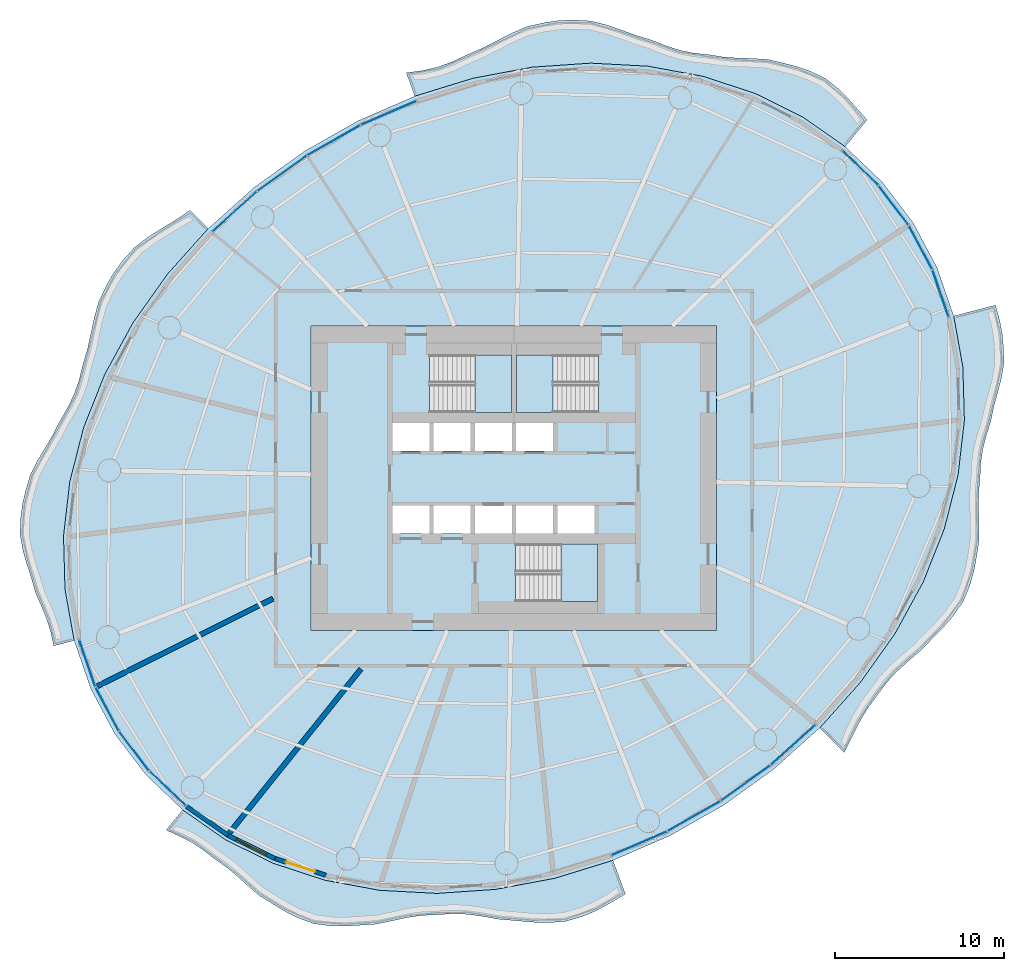
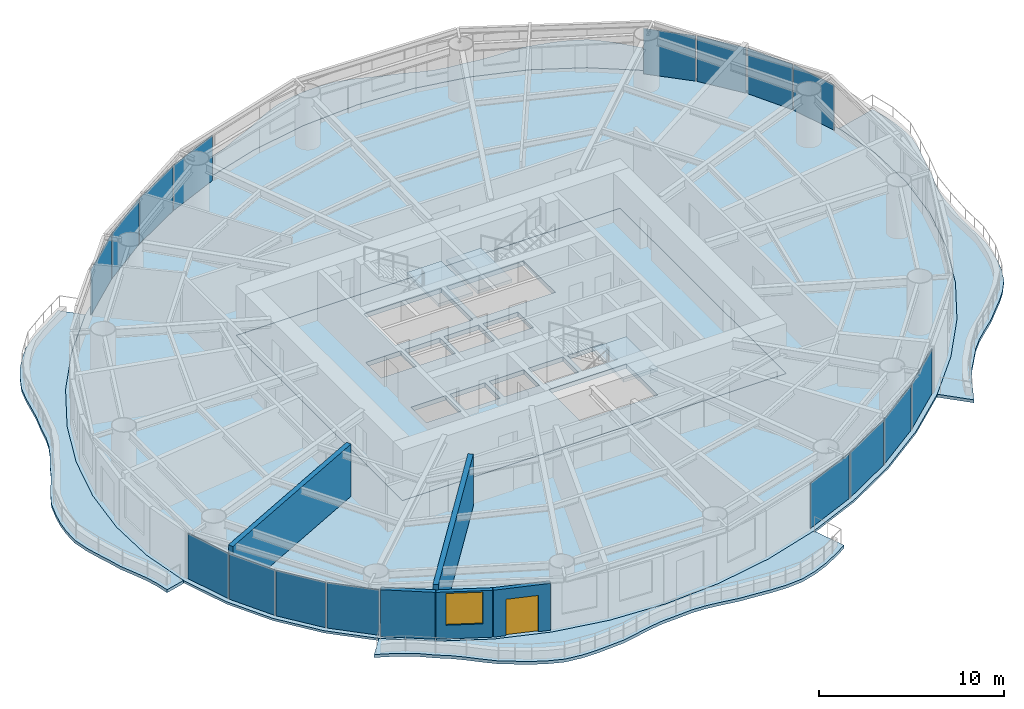
# One storey, part 7 of 14: 16 plates, 9 slabs, 5 walls, 1 door, 1 window, 2 openings, 19 elements without a shape of their own.
"""IFC4 building model written with IfcOpenShell, lengths in metres."""

from ifc_helpers import new_model, si_unit, direction, frame, frame_2d, origin, origin_2d, place, context, subcontext, project, spatial, polyline, rectangle, outline, extrude, material, layer, layer_set, type_object, element, fill, aggregate, save


model = new_model("IFC4")

# Units and contexts
model_context = context("Model", 3, precision=1e-05, world=origin(), true_north=direction((0.0, 1.0)))
body_context = subcontext(model_context, "Body", "Model", "MODEL_VIEW")
ifc_project = project(units=[si_unit("LENGTHUNIT", "METRE"), si_unit("AREAUNIT", "SQUARE_METRE"), si_unit("VOLUMEUNIT", "CUBIC_METRE"), si_unit("PLANEANGLEUNIT", "RADIAN"), si_unit("MASSUNIT", "GRAM", prefix="KILO")], contexts=[model_context])

# Site, building, storey
site_placement = place(None, origin())
site = spatial("IfcSite", under=ifc_project, at=site_placement, CompositionType="ELEMENT")
building_placement = place(site_placement, origin())
building = spatial("IfcBuilding", under=site, at=building_placement, Name="Vermilion Reach Broadcast Tower", CompositionType="ELEMENT")
storey_placement = place(building_placement, frame((0.0, 0.0, 165.0)))
storey = spatial("IfcBuildingStorey", under=building, at=storey_placement, Name="L39", CompositionType="ELEMENT", Elevation=165.0)

# Slabs
ifc_material_1 = material(Name="Concrete C40/50", Category="concrete")
ifc_layer_1 = layer(ifc_material_1, 0.199951171875)
ifc_layer_set_1 = layer_set([ifc_layer_1], Name="Balcony slab 200")
slab_type_1 = type_object("IfcSlabType", Name="Balcony slab 200", PredefinedType="FLOOR", material=ifc_layer_set_1)
placement_1 = place(storey_placement, frame((0.0, 0.0, -0.199951171875)))
element("IfcSlab", 1, at=placement_1, inside=storey, type_object=slab_type_1, Name="Balcony slab L39 group 1", PredefinedType="FLOOR", context=body_context, shape_type="SweptSolid", body=[
    extrude(outline(polyline([(13.61328125, 19.629638671875), (11.083740234375, 21.3916015625), (8.26171875, 22.787353515625), (5.19580078125, 23.79345703125), (1.9384765625, 24.392333984375), (-1.454833984375, 24.573974609375), (-4.926025390625, 24.3349609375), (-8.41552734375, 23.6796875), (-11.863525390625, 22.619140625), (-12.37451171875, 24.00537109375), (-11.387939453125, 24.140380859375), (-10.507080078125, 24.3447265625), (-9.65771484375, 24.651123046875), (-8.760498046875, 25.0771484375), (-7.8486328125, 25.47021484375), (-7.0244140625, 25.89111328125), (-6.201416015625, 26.31689453125), (-5.23291015625, 26.73486328125), (-4.235107421875, 26.964599609375), (-3.372314453125, 27.095703125), (-2.502685546875, 27.127685546875), (-1.47412109375, 27.0751953125), (-0.483642578125, 26.826416015625), (0.351806640625, 26.5380859375), (1.186279296875, 26.2353515625), (2.1220703125, 25.947265625), (3.002685546875, 25.601318359375), (3.79736328125, 25.345703125), (4.608154296875, 25.176025390625), (5.523193359375, 25.078369140625), (6.420166015625, 24.9375), (7.25048828125, 24.880615234375), (8.091552734375, 24.855712890625), (9.079833984375, 24.78759765625), (10.017578125, 24.561767578125), (10.7958984375, 24.360107421875), (11.544189453125, 24.097412109375), (12.43408203125, 23.676025390625), (13.193115234375, 23.071533203125), (13.749267578125, 22.521728515625), (14.2734375, 21.92578125), (14.906982421875, 21.211181640625), (13.61328125, 19.629638671875)])), origin(), (0.0, 0.0, 1.0), 0.199951171875),
])
element("IfcSlab", 2, at=placement_1, inside=storey, type_object=slab_type_1, Name="Balcony slab L39 group 2", PredefinedType="FLOOR", context=body_context, shape_type="SweptSolid", body=[
    extrude(outline(polyline([(-24.09423828125, 14.78515625), (-26.49951171875, 12.096435546875), (-28.553955078125, 9.200927734375), (-30.22265625, 6.147705078125), (-31.476806640625, 2.989501953125), (-32.294921875, -0.219970703125), (-32.663330078125, -3.425537109375), (-32.575439453125, -6.572509765625), (-32.03271484375, -9.607177734375), (-33.247314453125, -9.9228515625), (-33.42578125, -9.0732421875), (-33.66162109375, -8.33251953125), (-33.96044921875, -7.60302734375), (-34.326904296875, -6.752685546875), (-34.590087890625, -5.841552734375), (-34.8447265625, -5.061279296875), (-35.067138671875, -4.280029296875), (-35.239013671875, -3.314208984375), (-35.1982421875, -2.322265625), (-35.09423828125, -1.522216796875), (-34.90673828125, -0.731689453125), (-34.6298828125, 0.2099609375), (-34.167236328125, 1.112060546875), (-33.72021484375, 1.8525390625), (-33.2802734375, 2.5947265625), (-32.854736328125, 3.436767578125), (-32.375244140625, 4.260498046875), (-32.01171875, 5.030029296875), (-31.736328125, 5.834716796875), (-31.51220703125, 6.75341796875), (-31.235595703125, 7.692626953125), (-31.040771484375, 8.577392578125), (-30.8544921875, 9.466796875), (-30.57666015625, 10.465087890625), (-30.126220703125, 11.40478515625), (-29.68310546875, 12.178466796875), (-29.156005859375, 12.89306640625), (-28.46533203125, 13.664794921875), (-27.617919921875, 14.306884765625), (-26.82421875, 14.80712890625), (-26.01904296875, 15.296875), (-25.177978515625, 15.8671875), (-24.09423828125, 14.78515625)])), origin(), (0.0, 0.0, 1.0), 0.199951171875),
])
element("IfcSlab", 3, at=placement_1, inside=storey, type_object=slab_type_1, Name="Balcony slab L39 group 3", PredefinedType="FLOOR", context=body_context, shape_type="SweptSolid", body=[
    extrude(outline(polyline([(-25.61328125, -19.629638671875), (-23.083740234375, -21.3916015625), (-20.26171875, -22.787353515625), (-17.19580078125, -23.79345703125), (-13.9384765625, -24.392333984375), (-10.545166015625, -24.573974609375), (-7.073974609375, -24.3349609375), (-3.58447265625, -23.6796875), (-0.136474609375, -22.619140625), (0.599365234375, -24.614990234375), (-0.301513671875, -25.150146484375), (-1.110107421875, -25.589599609375), (-1.945556640625, -25.94091796875), (-2.953857421875, -26.234619140625), (-3.993408203125, -26.31103515625), (-4.90283203125, -26.278564453125), (-5.82177734375, -26.193603515625), (-6.8466796875, -26.112060546875), (-7.83544921875, -25.938720703125), (-8.7158203125, -25.815185546875), (-9.590576171875, -25.77490234375), (-10.535400390625, -25.83740234375), (-11.4658203125, -25.880126953125), (-12.3232421875, -26.007568359375), (-13.183837890625, -26.192626953125), (-14.17529296875, -26.396728515625), (-15.160888671875, -26.4619140625), (-16.01171875, -26.511474609375), (-16.850830078125, -26.49658203125), (-17.8515625, -26.366943359375), (-18.777587890625, -26.0263671875), (-19.5078125, -25.664306640625), (-20.217041015625, -25.238525390625), (-21.0537109375, -24.7236328125), (-21.786376953125, -24.094482421875), (-22.39111328125, -23.541748046875), (-23.012939453125, -23.023681640625), (-23.748779296875, -22.516845703125), (-24.43115234375, -21.977783203125), (-25.078369140625, -21.558349609375), (-25.7685546875, -21.201171875), (-26.593505859375, -20.827880859375), (-25.61328125, -19.629638671875)])), origin(), (0.0, 0.0, 1.0), 0.199951171875),
])
element("IfcSlab", 4, at=placement_1, inside=storey, type_object=slab_type_1, Name="Balcony slab L39 group 4", PredefinedType="FLOOR", context=body_context, shape_type="SweptSolid", body=[
    extrude(outline(polyline([(12.09423828125, -14.78515625), (14.49951171875, -12.096435546875), (16.553955078125, -9.200927734375), (18.22265625, -6.147705078125), (19.476806640625, -2.989501953125), (20.294921875, 0.219970703125), (20.663330078125, 3.425537109375), (20.575439453125, 6.572509765625), (20.03271484375, 9.607177734375), (22.505126953125, 10.24951171875), (22.761474609375, 9.312255859375), (22.907470703125, 8.555419921875), (22.97705078125, 7.784912109375), (23.00927734375, 6.82275390625), (22.839599609375, 5.848388671875), (22.63037109375, 5.05517578125), (22.4140625, 4.26171875), (22.221435546875, 3.358154296875), (21.942626953125, 2.466552734375), (21.745849609375, 1.67724609375), (21.63134765625, 0.87841796875), (21.591552734375, -0.018798828125), (21.505859375, -0.943359375), (21.50341796875, -1.797119140625), (21.535888671875, -2.659912109375), (21.538818359375, -3.65869140625), (21.385009765625, -4.661376953125), (21.226806640625, -5.5126953125), (20.991943359375, -6.33349609375), (20.610107421875, -7.26904296875), (20.023193359375, -8.123046875), (19.441162109375, -8.79638671875), (18.810791015625, -9.44287109375), (18.1103515625, -10.173583984375), (17.329345703125, -10.83935546875), (16.655029296875, -11.44921875), (16.049072265625, -12.107421875), (15.484130859375, -12.882080078125), (14.904296875, -13.668701171875), (14.440185546875, -14.463623046875), (14.0234375, -15.301025390625), (13.55078125, -16.239501953125), (12.09423828125, -14.78515625)])), origin(), (0.0, 0.0, 1.0), 0.199951171875),
])
ifc_material_2 = material(Name="Concrete C40", Category="concrete")
ifc_layer_2 = layer(ifc_material_2, 0.300048828125)
ifc_layer_set_2 = layer_set([ifc_layer_2], Name="Core floor slab 300 mm Concrete C40")
slab_type_2 = type_object("IfcSlabType", Name="Core floor slab 300 mm Concrete C40", PredefinedType="FLOOR", material=ifc_layer_set_2)
slab_5_placement = place(storey_placement, frame((0.0, 0.0, -0.300048828125)))
element("IfcSlab", 5, at=slab_5_placement, inside=storey, type_object=slab_type_2, Name="L39 core floor", PredefinedType="FLOOR", context=body_context, shape_type="SweptSolid", body=[
    extrude(outline(polyline([(-18.0, -9.0), (6.0, -9.0), (6.0, 9.0), (-18.0, 9.0), (-18.0, -9.0)]), holes=[polyline([(-13.199951171875, 1.60009765625), (-11.00830078125, 1.60009765625), (-11.00830078125, 3.280029296875), (-13.199951171875, 3.280029296875), (-13.199951171875, 1.60009765625)]), polyline([(-10.75830078125, 1.60009765625), (-8.566650390625, 1.60009765625), (-8.566650390625, 3.280029296875), (-10.75830078125, 3.280029296875), (-10.75830078125, 1.60009765625)]), polyline([(-8.316650390625, 1.60009765625), (-6.125, 1.60009765625), (-6.125, 3.280029296875), (-8.316650390625, 3.280029296875), (-8.316650390625, 1.60009765625)]), polyline([(-5.875, 1.60009765625), (-3.683349609375, 1.60009765625), (-3.683349609375, 3.280029296875), (-5.875, 3.280029296875), (-5.875, 1.60009765625)]), polyline([(-13.199951171875, -3.280029296875), (-11.00830078125, -3.280029296875), (-11.00830078125, -1.60009765625), (-13.199951171875, -1.60009765625), (-13.199951171875, -3.280029296875)]), polyline([(-10.75830078125, -3.280029296875), (-8.566650390625, -3.280029296875), (-8.566650390625, -1.60009765625), (-10.75830078125, -1.60009765625), (-10.75830078125, -3.280029296875)]), polyline([(-8.316650390625, -3.280029296875), (-6.125, -3.280029296875), (-6.125, -1.60009765625), (-8.316650390625, -1.60009765625), (-8.316650390625, -3.280029296875)]), polyline([(-5.875, -3.280029296875), (-3.683349609375, -3.280029296875), (-3.683349609375, -1.60009765625), (-5.875, -1.60009765625), (-5.875, -3.280029296875)]), polyline([(-3.433349609375, -3.280029296875), (-1.24169921875, -3.280029296875), (-1.24169921875, -1.60009765625), (-3.433349609375, -1.60009765625), (-3.433349609375, -3.280029296875)]), polyline([(-10.999267578125, 3.8798828125), (-6.14990234375, 3.8798828125), (-6.14990234375, 7.300048828125), (-10.999267578125, 7.300048828125), (-10.999267578125, 3.8798828125)]), polyline([(-1.000732421875, 7.300048828125), (-5.85009765625, 7.300048828125), (-5.85009765625, 3.8798828125), (-1.000732421875, 3.8798828125), (-1.000732421875, 7.300048828125)]), polyline([(-5.8994140625, -7.300048828125), (-1.050048828125, -7.300048828125), (-1.050048828125, -3.8798828125), (-5.8994140625, -3.8798828125), (-5.8994140625, -7.300048828125)])]), origin(), (0.0, 0.0, 1.0), 0.300048828125),
])

# Stair, slab
ifc_material_3 = material(Name="Concrete C40", Category="concrete")
stair_type = type_object("IfcStairType", Name="Exit stair RC 22 risers 164 mm", PredefinedType="HALF_TURN_STAIR", material=ifc_material_3)
placement_2 = place(storey_placement, origin())
stair_1 = element("IfcStair", 6, at=placement_2, inside=storey, type_object=stair_type, Name="L39 Exit stair ST1", PredefinedType="HALF_TURN_STAIR")
ifc_material_4 = material(Name="Concrete C40", Category="concrete")
ifc_layer_3 = layer(ifc_material_4, 0.199951171875)
ifc_layer_set_3 = layer_set([ifc_layer_3], Name="Exit stair landing Concrete C40")
slab_type_3 = type_object("IfcSlabType", Name="Exit stair landing Concrete C40", PredefinedType="LANDING", material=ifc_layer_set_3)
placement_3 = place(storey_placement, frame((0.0, 0.0, 1.60009765625)))
slab_6 = element("IfcSlab", 7, at=placement_3, type_object=slab_type_3, Name="ST1 landing 1", PredefinedType="LANDING", context=body_context, shape_type="SweptSolid", body=[
    extrude(outline(polyline([(-8.300048828125, 3.8798828125), (-6.14990234375, 3.8798828125), (-6.14990234375, 7.300048828125), (-8.300048828125, 7.300048828125), (-8.300048828125, 3.8798828125)])), origin(), (0.0, 0.0, 1.0), 0.199951171875),
])
aggregate(stair_1, [slab_6])

stair_2 = element("IfcStair", 8, at=placement_2, inside=storey, type_object=stair_type, Name="L39 Exit stair ST2", PredefinedType="HALF_TURN_STAIR")
slab_7 = element("IfcSlab", 9, at=placement_3, type_object=slab_type_3, Name="ST2 landing 1", PredefinedType="LANDING", context=body_context, shape_type="SweptSolid", body=[
    extrude(outline(polyline([(-3.699951171875, 7.300048828125), (-5.85009765625, 7.300048828125), (-5.85009765625, 3.8798828125), (-3.699951171875, 3.8798828125), (-3.699951171875, 7.300048828125)])), origin(), (0.0, 0.0, 1.0), 0.199951171875),
])
aggregate(stair_2, [slab_7])

stair_3 = element("IfcStair", 10, at=placement_2, inside=storey, type_object=stair_type, Name="L39 Exit stair ST3", PredefinedType="HALF_TURN_STAIR")
slab_8 = element("IfcSlab", 11, at=placement_3, type_object=slab_type_3, Name="ST3 landing 1", PredefinedType="LANDING", context=body_context, shape_type="SweptSolid", body=[
    extrude(outline(polyline([(-3.199951171875, -7.300048828125), (-1.050048828125, -7.300048828125), (-1.050048828125, -3.8798828125), (-3.199951171875, -3.8798828125), (-3.199951171875, -7.300048828125)])), origin(), (0.0, 0.0, 1.0), 0.199951171875),
])
aggregate(stair_3, [slab_8])

# Slab
ifc_material_5 = material(Name="Concrete C40", Category="concrete")
ifc_layer_4 = layer(ifc_material_5, 0.14990234375)
ifc_layer_set_4 = layer_set([ifc_layer_4], Name="Floor slab Concrete C40 composite 150")
slab_type_4 = type_object("IfcSlabType", Name="Floor slab Concrete C40 composite 150", PredefinedType="FLOOR", material=ifc_layer_set_4)
slab_9_placement = place(storey_placement, frame((0.0, 0.0, -0.14990234375)))
element("IfcSlab", 12, at=slab_9_placement, inside=storey, type_object=slab_type_4, Name="Floor slab L39", PredefinedType="FLOOR", context=body_context, shape_type="SweptSolid", body=[
    extrude(outline(polyline([(17.628173828125, 15.134033203125), (15.80712890625, 17.53173828125), (13.61328125, 19.629638671875), (11.083740234375, 21.3916015625), (8.26171875, 22.787353515625), (5.19580078125, 23.79345703125), (1.9384765625, 24.392333984375), (-1.454833984375, 24.573974609375), (-4.926025390625, 24.3349609375), (-8.41552734375, 23.6796875), (-11.863525390625, 22.619140625), (-15.21142578125, 21.171630859375), (-18.401611328125, 19.36181640625), (-21.37939453125, 17.220947265625), (-24.09423828125, 14.78515625), (-26.49951171875, 12.096435546875), (-28.553955078125, 9.200927734375), (-30.22265625, 6.147705078125), (-31.476806640625, 2.989501953125), (-32.294921875, -0.219970703125), (-32.663330078125, -3.425537109375), (-32.575439453125, -6.572509765625), (-32.03271484375, -9.607177734375), (-31.044677734375, -12.477294921875), (-29.628173828125, -15.134033203125), (-27.80712890625, -17.53173828125), (-25.61328125, -19.629638671875), (-23.083740234375, -21.3916015625), (-20.26171875, -22.787353515625), (-17.19580078125, -23.79345703125), (-13.9384765625, -24.392333984375), (-10.545166015625, -24.573974609375), (-7.073974609375, -24.3349609375), (-3.58447265625, -23.6796875), (-0.136474609375, -22.619140625), (3.21142578125, -21.171630859375), (6.401611328125, -19.36181640625), (9.37939453125, -17.220947265625), (12.09423828125, -14.78515625), (14.49951171875, -12.096435546875), (16.553955078125, -9.200927734375), (18.22265625, -6.147705078125), (19.476806640625, -2.989501953125), (20.294921875, 0.219970703125), (20.663330078125, 3.425537109375), (20.575439453125, 6.572509765625), (20.03271484375, 9.607177734375), (19.044677734375, 12.477294921875), (17.628173828125, 15.134033203125)]), holes=[polyline([(-18.0, -9.0), (6.0, -9.0), (6.0, 9.0), (-18.0, 9.0), (-18.0, -9.0)])]), origin(), (0.0, 0.0, 1.0), 0.14990234375),
])

# Curtain wall, plate
ifc_material_6 = material(Name="Low-e laminated clear glass in aluminium frame", Category="aluminium")
curtain_wall_type = type_object("IfcCurtainWallType", Name="Slot curtain wall", PredefinedType="NOTDEFINED", material=ifc_material_6)
curtain_wall_1 = element("IfcCurtainWall", 13, at=placement_2, inside=storey, type_object=curtain_wall_type, Name="Slot curtain wall L39 46", PredefinedType="NOTDEFINED")
ifc_material_7 = material(Name="Low-e laminated clear glass", Category="glass")
ifc_layer_5 = layer(ifc_material_7, 0.028076171875)
ifc_layer_set_5 = layer_set([ifc_layer_5], Name="Slot glass panel")
plate_type = type_object("IfcPlateType", Name="Slot glass panel", PredefinedType="CURTAIN_PANEL", material=ifc_layer_set_5)
plate_1_placement = place(storey_placement, frame((19.255859375, 10.94482421875, 0.0), z_axis=(0.0, 0.0, 1.0), x_axis=(-0.325493293065, 0.945544349129, 0.0)))
plate_1 = element("IfcPlate", 14, at=plate_1_placement, type_object=plate_type, Name="Slot glass panel L39 46", PredefinedType="CURTAIN_PANEL", context=body_context, shape_type="SweptSolid", body=[
    extrude(rectangle(XDim=2.908447265625, YDim=0.028076171875, at=origin_2d()), origin(), (0.0, 0.0, 1.0), 3.0),
])
aggregate(curtain_wall_1, [plate_1])

curtain_wall_2 = element("IfcCurtainWall", 15, at=placement_2, inside=storey, type_object=curtain_wall_type, Name="Slot curtain wall L39 47", PredefinedType="NOTDEFINED")
plate_2_placement = place(storey_placement, frame((18.072509765625, 13.6650390625, 0.0), z_axis=(0.0, 0.0, 1.0), x_axis=(-0.470500088267, 0.882399947269, 0.0)))
plate_2 = element("IfcPlate", 16, at=plate_2_placement, type_object=plate_type, Name="Slot glass panel L39 47", PredefinedType="CURTAIN_PANEL", context=body_context, shape_type="SweptSolid", body=[
    extrude(rectangle(XDim=2.883056640625, YDim=0.028076171875, at=origin_2d()), origin(), (0.0, 0.0, 1.0), 3.0),
])
aggregate(curtain_wall_2, [plate_2])

curtain_wall_3 = element("IfcCurtainWall", 17, at=placement_2, inside=storey, type_object=curtain_wall_type, Name="Slot curtain wall L39 00", PredefinedType="NOTDEFINED")
plate_3_placement = place(storey_placement, frame((16.4794921875, 16.152099609375, 0.0), z_axis=(0.0, 0.0, 1.0), x_axis=(-0.604783110887, 0.796390223939, 0.0)))
plate_3 = element("IfcPlate", 18, at=plate_3_placement, type_object=plate_type, Name="Slot glass panel L39 00", PredefinedType="CURTAIN_PANEL", context=body_context, shape_type="SweptSolid", body=[
    extrude(rectangle(XDim=2.883056640625, YDim=0.028076171875, at=origin_2d()), origin(), (0.0, 0.0, 1.0), 3.0),
])
aggregate(curtain_wall_3, [plate_3])

curtain_wall_4 = element("IfcCurtainWall", 19, at=placement_2, inside=storey, type_object=curtain_wall_type, Name="Slot curtain wall L39 01", PredefinedType="NOTDEFINED")
plate_4_placement = place(storey_placement, frame((14.50341796875, 18.36474609375, 0.0), z_axis=(0.0, 0.0, 1.0), x_axis=(-0.722780482204, 0.691077690672, 0.0)))
plate_4 = element("IfcPlate", 20, at=plate_4_placement, type_object=plate_type, Name="Slot glass panel L39 01", PredefinedType="CURTAIN_PANEL", context=body_context, shape_type="SweptSolid", body=[
    extrude(rectangle(XDim=2.908447265625, YDim=0.028076171875, at=origin_2d()), origin(), (0.0, 0.0, 1.0), 3.0),
])
aggregate(curtain_wall_4, [plate_4])

curtain_wall_5 = element("IfcCurtainWall", 21, at=placement_2, inside=storey, type_object=curtain_wall_type, Name="Slot curtain wall L39 10", PredefinedType="NOTDEFINED")
plate_5_placement = place(storey_placement, frame((-13.418701171875, 21.620361328125, 0.0), z_axis=(0.0, 0.0, 1.0), x_axis=(-0.917876145749, -0.396866956379, 0.0)))
plate_5 = element("IfcPlate", 22, at=plate_5_placement, type_object=plate_type, Name="Slot glass panel L39 10", PredefinedType="CURTAIN_PANEL", context=body_context, shape_type="SweptSolid", body=[
    extrude(rectangle(XDim=3.53466796875, YDim=0.028076171875, at=origin_2d()), origin(), (0.0, 0.0, 1.0), 3.0),
])
aggregate(curtain_wall_5, [plate_5])

curtain_wall_6 = element("IfcCurtainWall", 23, at=placement_2, inside=storey, type_object=curtain_wall_type, Name="Slot curtain wall L39 11", PredefinedType="NOTDEFINED")
plate_6_placement = place(storey_placement, frame((-16.65869140625, 20.006103515625, 0.0), z_axis=(0.0, 0.0, 1.0), x_axis=(-0.869790673666, -0.49342089944, 0.0)))
plate_6 = element("IfcPlate", 24, at=plate_6_placement, type_object=plate_type, Name="Slot glass panel L39 11", PredefinedType="CURTAIN_PANEL", context=body_context, shape_type="SweptSolid", body=[
    extrude(rectangle(XDim=3.555419921875, YDim=0.028076171875, at=origin_2d()), origin(), (0.0, 0.0, 1.0), 3.0),
])
aggregate(curtain_wall_6, [plate_6])

curtain_wall_7 = element("IfcCurtainWall", 25, at=placement_2, inside=storey, type_object=curtain_wall_type, Name="Slot curtain wall L39 12", PredefinedType="NOTDEFINED")
plate_7_placement = place(storey_placement, frame((-19.715576171875, 18.048095703125, 0.0), z_axis=(0.0, 0.0, 1.0), x_axis=(-0.811937662527, -0.58374414958, 0.0)))
plate_7 = element("IfcPlate", 26, at=plate_7_placement, type_object=plate_type, Name="Slot glass panel L39 12", PredefinedType="CURTAIN_PANEL", context=body_context, shape_type="SweptSolid", body=[
    extrude(rectangle(XDim=3.555419921875, YDim=0.028076171875, at=origin_2d()), origin(), (0.0, 0.0, 1.0), 3.0),
])
aggregate(curtain_wall_7, [plate_7])

curtain_wall_8 = element("IfcCurtainWall", 27, at=placement_2, inside=storey, type_object=curtain_wall_type, Name="Slot curtain wall L39 13", PredefinedType="NOTDEFINED")
plate_8_placement = place(storey_placement, frame((-22.536865234375, 15.780029296875, 0.0), z_axis=(0.0, 0.0, 1.0), x_axis=(-0.744340180645, -0.667800640519, 0.0)))
plate_8 = element("IfcPlate", 28, at=plate_8_placement, type_object=plate_type, Name="Slot glass panel L39 13", PredefinedType="CURTAIN_PANEL", context=body_context, shape_type="SweptSolid", body=[
    extrude(rectangle(XDim=3.53466796875, YDim=0.028076171875, at=origin_2d()), origin(), (0.0, 0.0, 1.0), 3.0),
])
aggregate(curtain_wall_8, [plate_8])

curtain_wall_9 = element("IfcCurtainWall", 29, at=placement_2, inside=storey, type_object=curtain_wall_type, Name="Slot curtain wall L39 22", PredefinedType="NOTDEFINED")
plate_9_placement = place(storey_placement, frame((-31.255859375, -10.94482421875, 0.0), z_axis=(0.0, 0.0, 1.0), x_axis=(0.325493293065, -0.945544349129, 0.0)))
plate_9 = element("IfcPlate", 30, at=plate_9_placement, type_object=plate_type, Name="Slot glass panel L39 22", PredefinedType="CURTAIN_PANEL", context=body_context, shape_type="SweptSolid", body=[
    extrude(rectangle(XDim=2.908447265625, YDim=0.028076171875, at=origin_2d()), origin(), (0.0, 0.0, 1.0), 3.0),
])
aggregate(curtain_wall_9, [plate_9])

curtain_wall_10 = element("IfcCurtainWall", 31, at=placement_2, inside=storey, type_object=curtain_wall_type, Name="Slot curtain wall L39 23", PredefinedType="NOTDEFINED")
plate_10_placement = place(storey_placement, frame((-30.072509765625, -13.6650390625, 0.0), z_axis=(0.0, 0.0, 1.0), x_axis=(0.470500088267, -0.882399947269, 0.0)))
plate_10 = element("IfcPlate", 32, at=plate_10_placement, type_object=plate_type, Name="Slot glass panel L39 23", PredefinedType="CURTAIN_PANEL", context=body_context, shape_type="SweptSolid", body=[
    extrude(rectangle(XDim=2.883056640625, YDim=0.028076171875, at=origin_2d()), origin(), (0.0, 0.0, 1.0), 3.0),
])
aggregate(curtain_wall_10, [plate_10])

curtain_wall_11 = element("IfcCurtainWall", 33, at=placement_2, inside=storey, type_object=curtain_wall_type, Name="Slot curtain wall L39 24", PredefinedType="NOTDEFINED")
plate_11_placement = place(storey_placement, frame((-28.4794921875, -16.152099609375, 0.0), z_axis=(0.0, 0.0, 1.0), x_axis=(0.604783110887, -0.796390223939, 0.0)))
plate_11 = element("IfcPlate", 34, at=plate_11_placement, type_object=plate_type, Name="Slot glass panel L39 24", PredefinedType="CURTAIN_PANEL", context=body_context, shape_type="SweptSolid", body=[
    extrude(rectangle(XDim=2.883056640625, YDim=0.028076171875, at=origin_2d()), origin(), (0.0, 0.0, 1.0), 3.0),
])
aggregate(curtain_wall_11, [plate_11])

curtain_wall_12 = element("IfcCurtainWall", 35, at=placement_2, inside=storey, type_object=curtain_wall_type, Name="Slot curtain wall L39 25", PredefinedType="NOTDEFINED")
plate_12_placement = place(storey_placement, frame((-26.50341796875, -18.36474609375, 0.0), z_axis=(0.0, 0.0, 1.0), x_axis=(0.722780482204, -0.691077690672, 0.0)))
plate_12 = element("IfcPlate", 36, at=plate_12_placement, type_object=plate_type, Name="Slot glass panel L39 25", PredefinedType="CURTAIN_PANEL", context=body_context, shape_type="SweptSolid", body=[
    extrude(rectangle(XDim=2.908447265625, YDim=0.028076171875, at=origin_2d()), origin(), (0.0, 0.0, 1.0), 3.0),
])
aggregate(curtain_wall_12, [plate_12])

curtain_wall_13 = element("IfcCurtainWall", 37, at=placement_2, inside=storey, type_object=curtain_wall_type, Name="Slot curtain wall L39 34", PredefinedType="NOTDEFINED")
plate_13_placement = place(storey_placement, frame((1.418701171875, -21.620361328125, 0.0), z_axis=(0.0, 0.0, 1.0), x_axis=(0.917876145749, 0.396866956379, 0.0)))
plate_13 = element("IfcPlate", 38, at=plate_13_placement, type_object=plate_type, Name="Slot glass panel L39 34", PredefinedType="CURTAIN_PANEL", context=body_context, shape_type="SweptSolid", body=[
    extrude(rectangle(XDim=3.53466796875, YDim=0.028076171875, at=origin_2d()), origin(), (0.0, 0.0, 1.0), 3.0),
])
aggregate(curtain_wall_13, [plate_13])

curtain_wall_14 = element("IfcCurtainWall", 39, at=placement_2, inside=storey, type_object=curtain_wall_type, Name="Slot curtain wall L39 35", PredefinedType="NOTDEFINED")
plate_14_placement = place(storey_placement, frame((4.65869140625, -20.006103515625, 0.0), z_axis=(0.0, 0.0, 1.0), x_axis=(0.869790673666, 0.49342089944, 0.0)))
plate_14 = element("IfcPlate", 40, at=plate_14_placement, type_object=plate_type, Name="Slot glass panel L39 35", PredefinedType="CURTAIN_PANEL", context=body_context, shape_type="SweptSolid", body=[
    extrude(rectangle(XDim=3.555419921875, YDim=0.028076171875, at=origin_2d()), origin(), (0.0, 0.0, 1.0), 3.0),
])
aggregate(curtain_wall_14, [plate_14])

curtain_wall_15 = element("IfcCurtainWall", 41, at=placement_2, inside=storey, type_object=curtain_wall_type, Name="Slot curtain wall L39 36", PredefinedType="NOTDEFINED")
plate_15_placement = place(storey_placement, frame((7.715576171875, -18.048095703125, 0.0), z_axis=(0.0, 0.0, 1.0), x_axis=(0.811937662527, 0.58374414958, 0.0)))
plate_15 = element("IfcPlate", 42, at=plate_15_placement, type_object=plate_type, Name="Slot glass panel L39 36", PredefinedType="CURTAIN_PANEL", context=body_context, shape_type="SweptSolid", body=[
    extrude(rectangle(XDim=3.555419921875, YDim=0.028076171875, at=origin_2d()), origin(), (0.0, 0.0, 1.0), 3.0),
])
aggregate(curtain_wall_15, [plate_15])

curtain_wall_16 = element("IfcCurtainWall", 43, at=placement_2, inside=storey, type_object=curtain_wall_type, Name="Slot curtain wall L39 37", PredefinedType="NOTDEFINED")
plate_16_placement = place(storey_placement, frame((10.536865234375, -15.780029296875, 0.0), z_axis=(0.0, 0.0, 1.0), x_axis=(0.744340180645, 0.667800640519, 0.0)))
plate_16 = element("IfcPlate", 44, at=plate_16_placement, type_object=plate_type, Name="Slot glass panel L39 37", PredefinedType="CURTAIN_PANEL", context=body_context, shape_type="SweptSolid", body=[
    extrude(rectangle(XDim=3.53466796875, YDim=0.028076171875, at=origin_2d()), origin(), (0.0, 0.0, 1.0), 3.0),
])
aggregate(curtain_wall_16, [plate_16])

# Walls
ifc_material_8 = material(Name="Double-leaf plasterboard on isolated steel stud", Category="steel")
ifc_layer_6 = layer(ifc_material_8, 0.300048828125)
ifc_layer_set_6 = layer_set([ifc_layer_6], Name="Partition 300 acoustic double leaf")
wall_type_1 = type_object("IfcWallType", Name="Partition 300 acoustic double leaf", PredefinedType="PARTITIONING", material=ifc_layer_set_6)
wall_1_placement = place(storey_placement, frame((-30.655029296875, -12.307861328125, 0.0), z_axis=(0.0, 0.0, 1.0), x_axis=(0.894708785018, 0.446649963632, 0.0)))
element("IfcWall", 45, at=wall_1_placement, inside=storey, type_object=wall_type_1, Name="Partition 39.07", PredefinedType="PARTITIONING", context=body_context, shape_type="SweptSolid", body=[
    extrude(rectangle(XDim=11.6103515625, YDim=0.300048828125, at=frame_2d((5.80517578125, 0.0))), origin(), (0.0, 0.0, 1.0), 3.449951171875),
])
wall_2_placement = place(storey_placement, frame((-22.86767578125, -21.025390625, 0.0), z_axis=(0.0, 0.0, 1.0), x_axis=(0.625768349668, 0.780008956713, 0.0)))
element("IfcWall", 46, at=wall_2_placement, inside=storey, type_object=wall_type_1, Name="Partition 39.08", PredefinedType="PARTITIONING", context=body_context, shape_type="SweptSolid", body=[
    extrude(rectangle(XDim=12.47607421875, YDim=0.300048828125, at=frame_2d((6.238037109375, 0.0))), origin(), (0.0, 0.0, 1.0), 3.449951171875),
])
ifc_material_9 = material(Name="Terracotta rainscreen cladding", Category="masonry")
ifc_layer_7 = layer(ifc_material_9, 0.25)
ifc_layer_set_7 = layer_set([ifc_layer_7], Name="Terracotta rainscreen wall 250")
wall_type_2 = type_object("IfcWallType", Name="Terracotta rainscreen wall 250", PredefinedType="SOLIDWALL", material=ifc_layer_set_7)
wall_3_placement = place(storey_placement, frame((-25.378173828125, -19.4287109375, 0.0), z_axis=(0.0, 0.0, 1.0), x_axis=(0.820566469183, -0.571551108521, 0.0)))
element("IfcWall", 47, at=wall_3_placement, inside=storey, type_object=wall_type_2, Name="External wall L39 26", PredefinedType="SOLIDWALL", context=body_context, shape_type="SweptSolid", body=[
    extrude(rectangle(XDim=2.96875, YDim=0.25, at=frame_2d((1.484375, 0.0))), origin(), (0.0, 0.0, 1.0), 3.10009765625),
])

# Wall, opening, window
wall_4_placement = place(storey_placement, frame((-22.919189453125, -21.13916015625, 0.0), z_axis=(0.0, 0.0, 1.0), x_axis=(0.896353964816, -0.443339113725, 0.0)))
wall_4 = element("IfcWall", 48, at=wall_4_placement, inside=storey, type_object=wall_type_2, Name="External wall L39 27", PredefinedType="SOLIDWALL", context=body_context, shape_type="SweptSolid", body=[
    extrude(rectangle(XDim=3.078369140625, YDim=0.25, at=frame_2d((1.5390625, 0.0))), origin(), (0.0, 0.0, 1.0), 3.10009765625),
])
opening_1_placement = place(wall_4_placement, frame((0.5390625, 0.0, 0.89990234375)))
opening_1 = element("IfcOpeningElement", 49, at=opening_1_placement, cuts=wall_4, Name="Opening W03", PredefinedType="OPENING", context=body_context, shape_type="SweptSolid", body=[
    extrude(rectangle(XDim=2.0, YDim=2.10009765625, at=frame_2d((1.0, 1.050048828125))), frame((0.0, 0.135009765625, 0.0), z_axis=(0.0, -1.0, 0.0), x_axis=(1.0, 0.0, 0.0)), (0.0, 0.0, 1.0), 0.27001953125),
])
ifc_material_10 = material(Name="Low-e laminated clear glass in aluminium frame", Category="aluminium")
window_type = type_object("IfcWindowType", Name="Punched window 2000 x 2100 sill 900", PartitioningType="SINGLE_PANEL", PredefinedType="WINDOW", material=ifc_material_10)
window_placement = place(opening_1_placement, origin())
window = element("IfcWindow", 50, at=window_placement, inside=storey, type_object=window_type, Name="Window L39 27", OverallHeight=2.10009765625, OverallWidth=2.0, PartitioningType="SINGLE_PANEL", PredefinedType="WINDOW", context=body_context, shape_type="SweptSolid", body=[
    extrude(rectangle(XDim=2.0, YDim=2.10009765625, at=frame_2d((1.0, 1.050048828125))), frame((0.0, 0.030029296875, 0.0), z_axis=(0.0, -1.0, 0.0), x_axis=(1.0, 0.0, 0.0)), (0.0, 0.0, 1.0), 0.06005859375),
])
fill(opening_1, window)

# Wall, opening, door
wall_5_placement = place(storey_placement, frame((-20.13623046875, -22.513671875, 0.0), z_axis=(0.0, 0.0, 1.0), x_axis=(0.950163900918, -0.311750800147, 0.0)))
wall_5 = element("IfcWall", 51, at=wall_5_placement, inside=storey, type_object=wall_type_2, Name="External wall L39 28", PredefinedType="SOLIDWALL", context=body_context, shape_type="SweptSolid", body=[
    extrude(rectangle(XDim=3.159912109375, YDim=0.25, at=frame_2d((1.580078125, 0.0))), origin(), (0.0, 0.0, 1.0), 3.10009765625),
])
opening_2_placement = place(wall_5_placement, frame((0.679931640625, 0.0, 0.0)))
opening_2 = element("IfcOpeningElement", 52, at=opening_2_placement, cuts=wall_5, Name="Opening D70", PredefinedType="OPENING", context=body_context, shape_type="SweptSolid", body=[
    extrude(rectangle(XDim=1.800048828125, YDim=2.39990234375, at=frame_2d((0.89990234375, 1.199951171875))), frame((0.0, 0.135009765625, 0.0), z_axis=(0.0, -1.0, 0.0), x_axis=(1.0, 0.0, 0.0)), (0.0, 0.0, 1.0), 0.27001953125),
])
ifc_material_11 = material(Name="Low-e laminated clear glass in aluminium frame", Category="aluminium")
door_type = type_object("IfcDoorType", Name="Balcony sliding door 1800 x 2400", OperationType="DOUBLE_DOOR_SLIDING", PredefinedType="DOOR", material=ifc_material_11)
door_placement = place(opening_2_placement, origin())
door = element("IfcDoor", 53, at=door_placement, inside=storey, type_object=door_type, Name="Balcony door L39 run 07", OperationType="DOUBLE_DOOR_SLIDING", OverallHeight=2.39990234375, OverallWidth=1.800048828125, PredefinedType="DOOR", context=body_context, shape_type="SweptSolid", body=[
    extrude(rectangle(XDim=1.800048828125, YDim=2.39990234375, at=frame_2d((0.89990234375, 1.199951171875))), frame((0.0, 0.02490234375, 0.0), z_axis=(0.0, -1.0, 0.0), x_axis=(1.0, 0.0, 0.0)), (0.0, 0.0, 1.0), 0.050048828125),
])
fill(opening_2, door)

save(model, "model.ifc")
